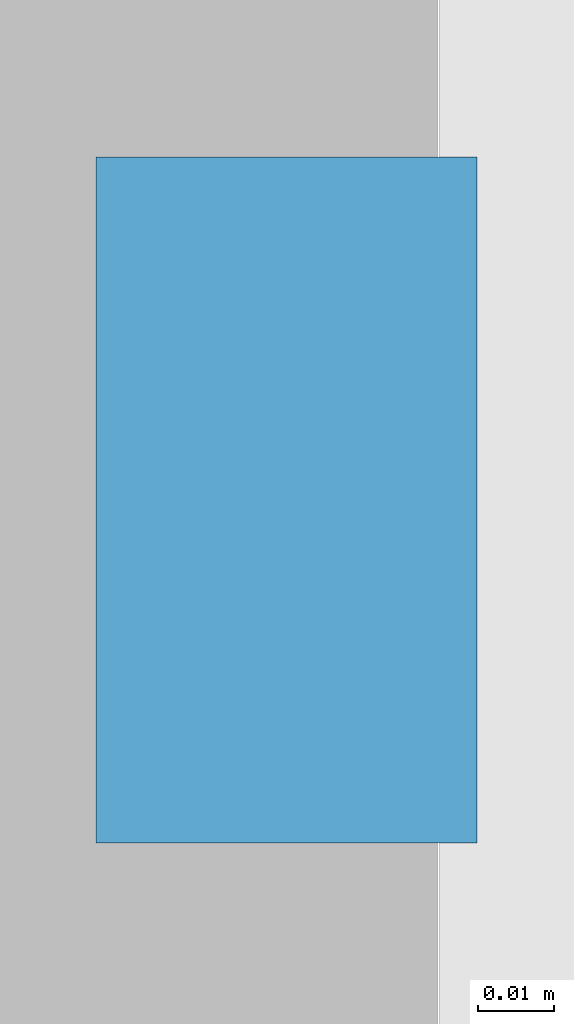
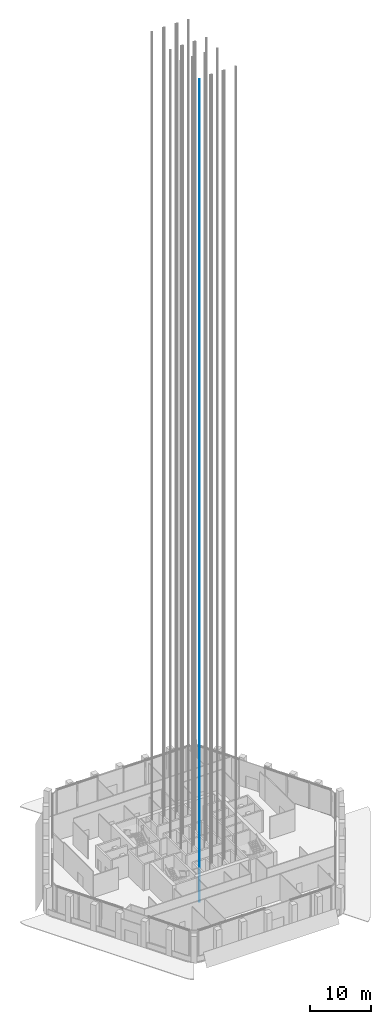
# One storey, part 15 of 42: 1 discrete accessory.
"""IFC4 building model written with IfcOpenShell, lengths in metres."""

from ifc_helpers import new_model, si_unit, direction, frame, origin, origin_2d, place, context, subcontext, project, spatial, rectangle, extrude, element, save


model = new_model("IFC4")

# Units and contexts
model_context = context("Model", 3, precision=1e-05, world=origin(), true_north=direction((0.0, 1.0)))
body_context = subcontext(model_context, "Body", "Model", "MODEL_VIEW")
ifc_project = project(units=[si_unit("LENGTHUNIT", "METRE"), si_unit("AREAUNIT", "SQUARE_METRE"), si_unit("VOLUMEUNIT", "CUBIC_METRE"), si_unit("PLANEANGLEUNIT", "RADIAN"), si_unit("MASSUNIT", "GRAM", prefix="KILO")], contexts=[model_context])

# Site, building, storey
site_placement = place(None, origin())
site = spatial("IfcSite", under=ifc_project, at=site_placement, CompositionType="ELEMENT")
building_placement = place(site_placement, origin())
building = spatial("IfcBuilding", under=site, at=building_placement, Name="Kolab Exchange Tower", CompositionType="ELEMENT")
storey_placement = place(building_placement, frame((0.0, 0.0, 133.39990234375)))
storey = spatial("IfcBuildingStorey", under=building, at=storey_placement, Name="L26", CompositionType="ELEMENT", Elevation=133.39990234375)

# Discrete accessory
discrete_accessory_placement = place(storey_placement, frame((-3.469970703125, -7.800048828125, -1.599853515625), z_axis=(0.0, 0.0, 1.0), x_axis=(1.0, 0.0, 0.0)))
element("IfcDiscreteAccessory", 1, at=discrete_accessory_placement, inside=storey, Name="Guide rail HR10-1", ObjectType="GUIDE RAIL", PredefinedType="USERDEFINED", context=body_context, shape_type="SweptSolid", body=[
    extrude(rectangle(XDim=0.050048828125, YDim=0.090087890625, at=origin_2d()), origin(), (0.0, 0.0, 1.0), 165.60009765625),
])

save(model, "model.ifc")
